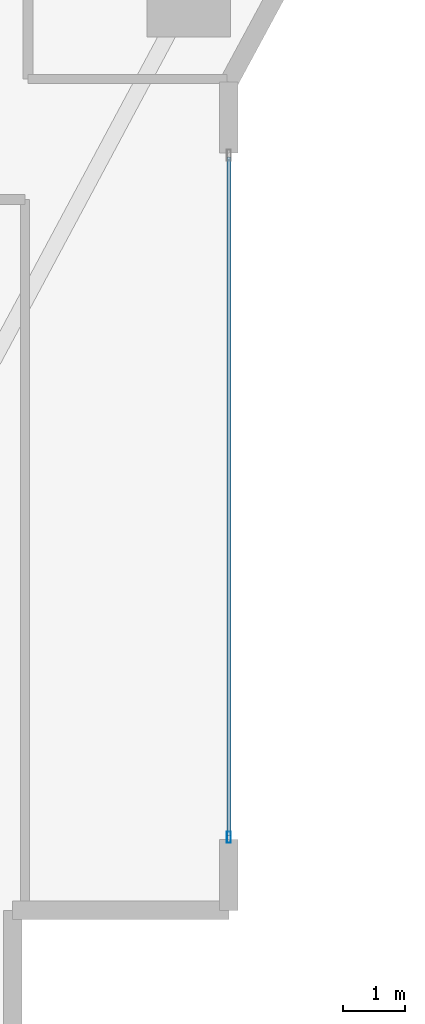
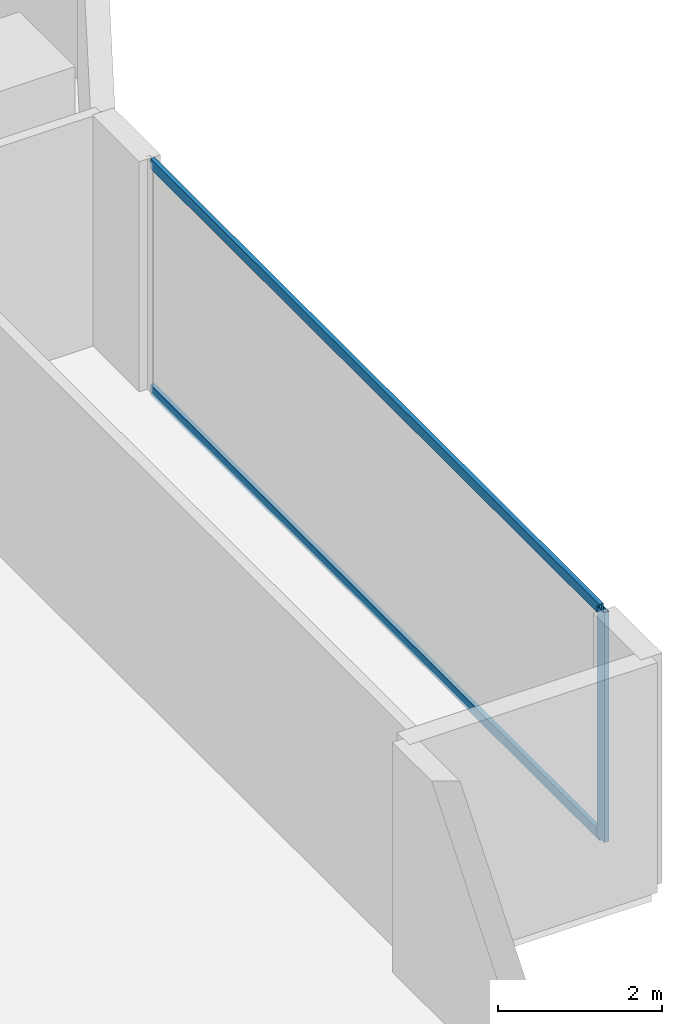
# One storey, part 11 of 27: 3 members, 1 element without a shape of its own.
"""IFC4 building model written with IfcOpenShell, lengths in metres."""

from ifc_helpers import new_model, si_unit, direction, frame, origin, origin_2d, place, context, subcontext, project, spatial, hollow_rectangle, extrude, material, layer, layer_set, material_profile, profile_set, type_object, element, aggregate, save


model = new_model("IFC4")

# Units and contexts
model_context = context("Model", 3, precision=1e-05, world=origin(), true_north=direction((0.0, 1.0)))
body_context = subcontext(model_context, "Body", "Model", "MODEL_VIEW")
ifc_project = project(units=[si_unit("LENGTHUNIT", "METRE"), si_unit("AREAUNIT", "SQUARE_METRE"), si_unit("VOLUMEUNIT", "CUBIC_METRE"), si_unit("PLANEANGLEUNIT", "RADIAN"), si_unit("MASSUNIT", "GRAM", prefix="KILO")], contexts=[model_context])

# Site, building, storey
site_placement = place(None, origin())
site = spatial("IfcSite", under=ifc_project, at=site_placement, CompositionType="ELEMENT")
building_placement = place(site_placement, origin())
building = spatial("IfcBuilding", under=site, at=building_placement, Name="Zuhayl Quay Hotel", CompositionType="ELEMENT")
storey_placement = place(building_placement, frame((0.0, 0.0, 102.949951171875)))
storey = spatial("IfcBuildingStorey", under=building, at=storey_placement, Name="L25", CompositionType="ELEMENT", Elevation=102.949951171875)

# Curtain wall, members
ifc_material_1 = material(Name="Anodised Aluminium 6063-T6", Category="aluminium")
ifc_layer = layer(ifc_material_1, 0.179931640625, Name="Anodised Aluminium 6063-T6", Category="aluminium")
ifc_layer_set = layer_set([ifc_layer], Name="Anodised Aluminium 6063-T6")
curtain_wall_type = type_object("IfcCurtainWallType", Name="CW_SYS_Z2", PredefinedType="USERDEFINED", material=ifc_layer_set)
curtain_wall_placement = place(storey_placement, origin())
curtain_wall = element("IfcCurtainWall", 1, at=curtain_wall_placement, inside=storey, type_object=curtain_wall_type, Name="L25 Curtain Wall ENV_L25_E14_CW1", ObjectType="UNITISED CURTAIN WALL", PredefinedType="USERDEFINED")
ifc_material_2 = material(Name="Black-anodised aluminium 6063-T6", Category="aluminium")
ifc_material_profile_1 = material_profile(ifc_material_2, hollow_rectangle(XDim=0.06494140625, YDim=0.179931640625, WallThickness=0.00341796875, at=origin_2d()), Name="ALU180X65")
ifc_profile_set_1 = profile_set([ifc_material_profile_1], Name="Black-anodised aluminium 6063-T6")
member_type_1 = type_object("IfcMemberType", Name="MB_CW_MUL_180", PredefinedType="MULLION", material=ifc_profile_set_1)
member_1_placement = place(storey_placement, frame((23.89990234375, -10.717529296875, 0.0), z_axis=(0.0, 0.0, 1.0), x_axis=(1.0, 0.0, 0.0)))
member_1 = element("IfcMember", 2, at=member_1_placement, type_object=member_type_1, Name="CW-Z2 mullion 2", PredefinedType="MULLION", context=body_context, shape_type="SweptSolid", body=[
    extrude(hollow_rectangle(XDim=0.06494140625, YDim=0.179931640625, WallThickness=0.00341796875, at=origin_2d()), origin(), (0.0, 0.0, 1.0), 3.429931640625),
])
ifc_material_profile_2 = material_profile(ifc_material_2, hollow_rectangle(XDim=0.06005859375, YDim=0.14990234375, WallThickness=0.00341796875, at=origin_2d()), Name="ALU150X60")
ifc_profile_set_2 = profile_set([ifc_material_profile_2], Name="Black-anodised aluminium 6063-T6")
member_type_2 = type_object("IfcMemberType", Name="MB_CW_TRN_150", PredefinedType="USERDEFINED", material=ifc_profile_set_2)
member_2_placement = place(storey_placement, frame((23.89990234375, 0.284912109375, 0.030029296875), z_axis=(0.0, -1.0, 0.0), x_axis=(1.0, 0.0, 0.0)))
member_2 = element("IfcMember", 3, at=member_2_placement, type_object=member_type_2, Name="CW-Z2 transom 1.1", ObjectType="TRANSOM", PredefinedType="USERDEFINED", context=body_context, shape_type="SweptSolid", body=[
    extrude(hollow_rectangle(XDim=0.06005859375, YDim=0.14990234375, WallThickness=0.00341796875, at=origin_2d()), origin(), (0.0, 0.0, 1.0), 10.969970703125),
])
member_3_placement = place(storey_placement, frame((23.89990234375, 0.284912109375, 3.400146484375), z_axis=(0.0, -1.0, 0.0), x_axis=(1.0, 0.0, 0.0)))
member_3 = element("IfcMember", 4, at=member_3_placement, type_object=member_type_2, Name="CW-Z2 transom 1.2", ObjectType="TRANSOM", PredefinedType="USERDEFINED", context=body_context, shape_type="SweptSolid", body=[
    extrude(hollow_rectangle(XDim=0.06005859375, YDim=0.14990234375, WallThickness=0.00341796875, at=origin_2d()), origin(), (0.0, 0.0, 1.0), 10.969970703125),
])
aggregate(curtain_wall, [member_1, member_2, member_3])

save(model, "model.ifc")
